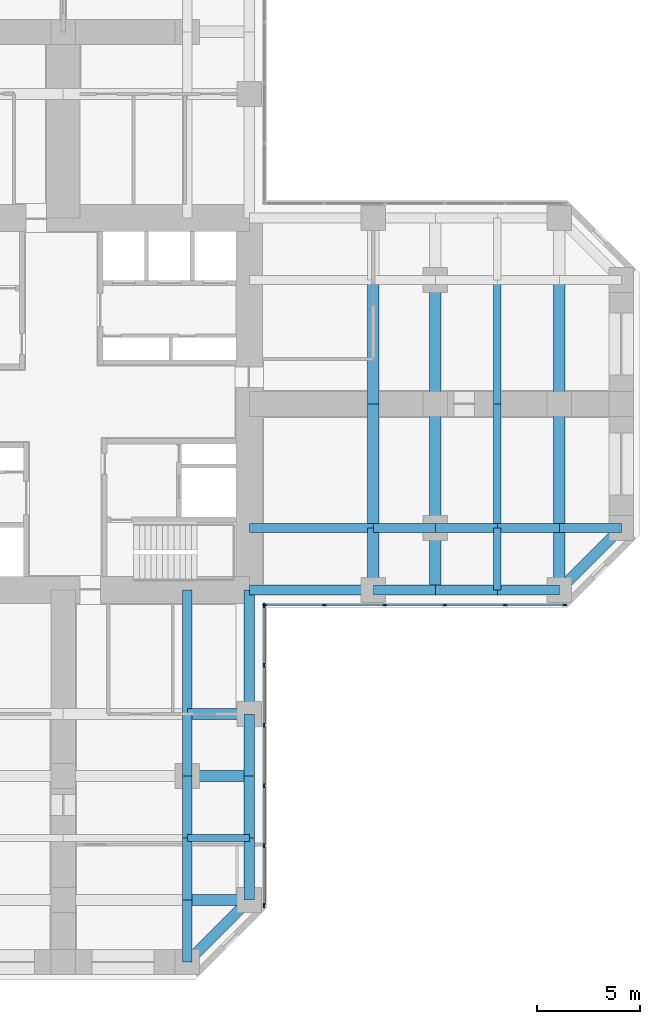
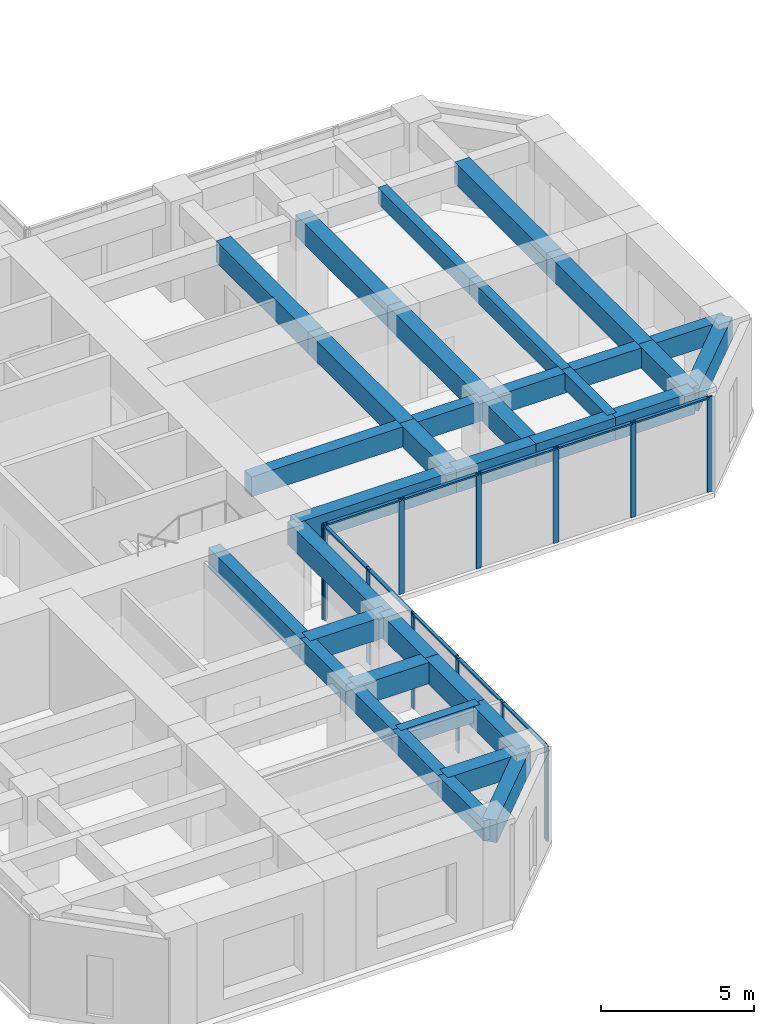
# One storey, part 4 of 12: 36 beams, 22 members, 2 elements without a shape of their own.
"""IFC4 building model written with IfcOpenShell, lengths in metres."""

import ifcopenshell
import ifcopenshell.guid

model = None  # the IFC model being written
_history = None  # IfcOwnerHistory: only IFC2X3 demands one
_inside = {}  # id of a spatial element -> (the spatial element, [elements in it])
_under = {}  # id of a project, library or spatial element -> (it, [spatial elements below it])
_declared = {}  # id of a project -> (the project, [libraries it declares])
_typed = {}  # id of a type object -> (the type object, [elements of that type])
_made_of = {}  # id of a material, layer set ... -> (it, [elements and type objects made of it])


def new_model(schema):
    """Start an empty IFC model of exactly this schema.

    Asked for "IFC4X3", IfcOpenShell would pick the latest addendum, in which some entities
    have other attributes; the version numbers below select the first issue.
    IFC2X3 requires an IfcOwnerHistory on every rooted entity: one is made here for all.
    """
    global model, _history
    if schema == "IFC4X3":
        model = ifcopenshell.file(schema_version=(4, 3, 0, 0))
    else:
        model = ifcopenshell.file(schema=schema)
    _inside.clear()
    _under.clear()
    _declared.clear()
    _typed.clear()
    _made_of.clear()
    _history = None
    if model.schema == "IFC2X3":
        org = make("IfcOrganization", Name="unknown")
        user = make(
            "IfcPersonAndOrganization",
            ThePerson=make("IfcPerson", FamilyName="unknown"),
            TheOrganization=org,
        )
        app = make(
            "IfcApplication",
            ApplicationDeveloper=org,
            Version="unknown",
            ApplicationFullName="unknown",
            ApplicationIdentifier="unknown",
        )
        _history = make(
            "IfcOwnerHistory",
            OwningUser=user,
            OwningApplication=app,
            ChangeAction="ADDED",
            CreationDate=0,
        )
    return model


def make(cls, **values):
    """One entity of the class cls with the attributes given. An attribute that is None is left unset."""
    return model.create_entity(
        cls, **{name: value for name, value in values.items() if value is not None}
    )


def rooted(cls, **values):
    """An entity with a GlobalId (a new one), such as an element, a storey or a relation."""
    return make(cls, GlobalId=ifcopenshell.guid.new(), OwnerHistory=_history, **values)


def si_unit(unit_type, name, prefix=None):
    """IfcSIUnit, for example si_unit("LENGTHUNIT", "METRE", prefix="MILLI")."""
    return make("IfcSIUnit", UnitType=unit_type, Prefix=prefix, Name=name)


def assignment(units):
    """IfcUnitAssignment: the units of a project."""
    return None if units is None else make("IfcUnitAssignment", Units=units)


def point(xyz):
    """IfcCartesianPoint."""
    return None if xyz is None else make("IfcCartesianPoint", Coordinates=xyz)


def direction(xyz):
    """IfcDirection."""
    return None if xyz is None else make("IfcDirection", DirectionRatios=xyz)


def frame(location, z_axis=None, x_axis=None):
    """IfcAxis2Placement3D, a coordinate frame: its origin and axes. An axis left out is left unset."""
    return make(
        "IfcAxis2Placement3D",
        Location=point(location),
        Axis=direction(z_axis),
        RefDirection=direction(x_axis),
    )


def frame_2d(location, x_axis=None):
    """IfcAxis2Placement2D, a coordinate frame in the plane: its origin and x axis."""
    return make(
        "IfcAxis2Placement2D", Location=point(location), RefDirection=direction(x_axis)
    )


def origin():
    """The frame at (0, 0, 0) with its axes left unset."""
    return frame((0.0, 0.0, 0.0))


def origin_2d():
    """The frame at (0, 0) in the plane with its x axis left unset."""
    return frame_2d((0.0, 0.0))


def place(relative_to, where):
    """IfcLocalPlacement: puts the frame where relative to a parent placement (None: the world)."""
    return make(
        "IfcLocalPlacement", PlacementRelTo=relative_to, RelativePlacement=where
    )


def context(
    kind, dimensions, precision=None, world=None, true_north=None, identifier=None
):
    """IfcGeometricRepresentationContext, for example the 3D "Model" context."""
    return make(
        "IfcGeometricRepresentationContext",
        ContextIdentifier=identifier,
        ContextType=kind,
        CoordinateSpaceDimension=dimensions,
        Precision=precision,
        WorldCoordinateSystem=world,
        TrueNorth=true_north,
    )


def subcontext(parent, identifier, kind, view, scale=None):
    """IfcGeometricRepresentationSubContext, for example "Body" below "Model"."""
    return make(
        "IfcGeometricRepresentationSubContext",
        ContextIdentifier=identifier,
        ContextType=kind,
        ParentContext=parent,
        TargetScale=scale,
        TargetView=view,
    )


def project(units=None, contexts=None):
    """IfcProject with its units and contexts."""
    return rooted(
        "IfcProject",
        Name="project",
        RepresentationContexts=contexts,
        UnitsInContext=assignment(units),
    )


def spatial(cls, under=None, at=None, **own):
    """A site, building, storey or space (cls), placed at a placement, below another one or the project."""
    s = rooted(cls, ObjectPlacement=at, **own)
    if under is not None:
        _under.setdefault(under.id(), (under, []))[1].append(s)
    return s


def profile(cls, at=None, kind="AREA", **sizes):
    """A parametric profile (cls). Its sizes go by their IFC names, for example OverallWidth=200.0."""
    return make(cls, ProfileType=kind, Position=at, **sizes)


def rectangle(**sizes):
    """IfcRectangleProfileDef."""
    return profile("IfcRectangleProfileDef", **sizes)


def extrude(swept, where, along, depth):
    """IfcExtrudedAreaSolid: the profile swept, set in the frame where, extruded along a direction by depth."""
    return make(
        "IfcExtrudedAreaSolid",
        SweptArea=swept,
        Position=where,
        ExtrudedDirection=direction(along),
        Depth=depth,
    )


def shape(context_of_items, identifier, shape_type, items):
    """IfcShapeRepresentation: the items that make up one representation, for example the "Body"."""
    return make(
        "IfcShapeRepresentation",
        ContextOfItems=context_of_items,
        RepresentationIdentifier=identifier,
        RepresentationType=shape_type,
        Items=items,
    )


def material(Name=None, Category=None):
    """IfcMaterial."""
    return make("IfcMaterial", Name=Name, Category=Category)


def material_profile(
    of_material, cross_section, Name=None, Category=None, Priority=None
):
    """IfcMaterialProfile: a cross section and its material."""
    return make(
        "IfcMaterialProfile",
        Name=Name,
        Material=of_material,
        Profile=cross_section,
        Priority=Priority,
        Category=Category,
    )


def profile_set(profiles, Name=None, composite=None):
    """IfcMaterialProfileSet."""
    return make(
        "IfcMaterialProfileSet",
        Name=Name,
        MaterialProfiles=profiles,
        CompositeProfile=composite,
    )


def made_of(thing, what):
    """Note that an element or type object is made of a material, layer set ...; save() writes the relation."""
    if what is not None:
        _made_of.setdefault(what.id(), (what, []))[1].append(thing)
    return thing


def type_object(cls, material=None, **own):
    """A type object (cls), such as IfcWallType, which elements share."""
    return made_of(rooted(cls, **own), material)


def element(
    cls,
    number,
    at=None,
    inside=None,
    cuts=None,
    type_object=None,
    material=None,
    context=None,
    identifier="Body",
    shape_type=None,
    held_by="IfcProductDefinitionShape",
    body=None,
    shapes=None,
    **own,
):
    """One element of the class cls, such as IfcWall. Its Tag is "e" and its number.

    at: its placement. inside: the storey or other place that contains it. cuts: it is an
    opening in that element (IfcRelVoidsElement). A single representation is given by context,
    identifier, shape_type and body (its items); several are given by shapes. held_by: the class
    of the entity that holds the representations. save() writes the other relations.
    """
    e = rooted(cls, Tag="e%d" % number, ObjectPlacement=at, **own)
    if body is not None:
        shapes = [shape(context, identifier, shape_type, body)]
    if shapes is not None:
        e.Representation = make(held_by, Representations=shapes)
    if inside is not None:
        _inside.setdefault(inside.id(), (inside, []))[1].append(e)
    if cuts is not None:
        rooted(
            "IfcRelVoidsElement", RelatingBuildingElement=cuts, RelatedOpeningElement=e
        )
    if type_object is not None:
        _typed.setdefault(type_object.id(), (type_object, []))[1].append(e)
    return made_of(e, material)


def aggregate(whole, parts):
    """IfcRelAggregates: a whole, such as a stair, and the parts it consists of."""
    return rooted("IfcRelAggregates", RelatingObject=whole, RelatedObjects=parts)


def save(model, path):
    """Write the relations noted so far, then the file.

    IfcRelAggregates (storeys below a building ...), IfcRelContainedInSpatialStructure (elements
    in a storey), IfcRelDefinesByType, IfcRelAssociatesMaterial and IfcRelDeclares: one each for
    every whole, place, type object, material and project.
    """
    for whole, parts in _under.values():
        aggregate(whole, parts)
    for where, things in _inside.values():
        rooted(
            "IfcRelContainedInSpatialStructure",
            RelatedElements=things,
            RelatingStructure=where,
        )
    for kind, things in _typed.values():
        rooted("IfcRelDefinesByType", RelatedObjects=things, RelatingType=kind)
    for what, things in _made_of.values():
        rooted("IfcRelAssociatesMaterial", RelatedObjects=things, RelatingMaterial=what)
    for by, libraries in _declared.values():
        rooted("IfcRelDeclares", RelatingContext=by, RelatedDefinitions=libraries)
    model.write(path)


model = new_model("IFC4")

# Units and contexts
model_context = context("Model", 3, precision=1e-05, world=origin(), true_north=direction((0.0, 1.0)))
body_context = subcontext(model_context, "Body", "Model", "MODEL_VIEW")
ifc_project = project(units=[si_unit("LENGTHUNIT", "METRE"), si_unit("AREAUNIT", "SQUARE_METRE"), si_unit("VOLUMEUNIT", "CUBIC_METRE"), si_unit("PLANEANGLEUNIT", "RADIAN"), si_unit("MASSUNIT", "GRAM", prefix="KILO")], contexts=[model_context])

# Site, building, storey
site_placement = place(None, origin())
site = spatial("IfcSite", under=ifc_project, at=site_placement, CompositionType="ELEMENT")
building_placement = place(site_placement, origin())
building = spatial("IfcBuilding", under=site, at=building_placement, Name="Torre Cruceta", CompositionType="ELEMENT")
storey_placement = place(building_placement, frame((0.0, 0.0, 75.5)))
storey = spatial("IfcBuildingStorey", under=building, at=storey_placement, Name="L18", CompositionType="ELEMENT", Elevation=75.5)

# Beams
ifc_material_1 = material(Name="Concrete G60 (fck 60 MPa)", Category="concrete")
ifc_material_profile_1 = material_profile(ifc_material_1, rectangle(XDim=0.449951171875, YDim=0.800048828125, at=origin_2d()), Name="RC 450X800")
ifc_profile_set_1 = profile_set([ifc_material_profile_1], Name="Concrete G60 (fck 60 MPa)")
beam_type_1 = type_object("IfcBeamType", Name="COLUMN LINE BEAM RC 450X800", PredefinedType="BEAM", material=ifc_profile_set_1)
beam_1_placement = place(storey_placement, frame((9.0, -6.0, 3.39990234375), z_axis=(1.0, 0.0, 0.0), x_axis=(0.0, 1.0, 0.0)))
element("IfcBeam", 1, at=beam_1_placement, inside=storey, type_object=beam_type_1, Name="LB1 L18 E col- 1", PredefinedType="BEAM", context=body_context, shape_type="SweptSolid", body=[
    extrude(rectangle(XDim=0.449951171875, YDim=0.800048828125, at=origin_2d()), origin(), (0.0, 0.0, 1.0), 6.0),
])
for number, where, z_axis, x_axis, name in (
    (2, (15.0, -6.0, 3.39990234375), (1.0, 0.0, 0.0), (0.0, 1.0, 0.0), "LB1 L18 E col- 2"),
    (3, (18.0, -6.0, 3.39990234375), (1.0, 0.0, 0.0), (0.0, 1.0, 0.0), "LB1 L18 E col- 3"),
    (4, (21.0, -6.0, 3.39990234375), (1.0, 0.0, 0.0), (0.0, 1.0, 0.0), "LB1 L18 E col- 4"),
    (5, (24.0, -6.0, 3.39990234375), (1.0, 0.0, 0.0), (0.0, 1.0, 0.0), "LB1 L18 E col- 5"),
):
    element("IfcBeam", number, at=place(storey_placement, frame(where, z_axis=z_axis, x_axis=x_axis)), inside=storey, type_object=beam_type_1, Name=name, PredefinedType="BEAM", context=body_context, shape_type="SweptSolid", body=[
        extrude(rectangle(XDim=0.449951171875, YDim=0.800048828125, at=origin_2d()), origin(), (0.0, 0.0, 1.0), 3.0),
    ])
beam_2_placement = place(storey_placement, frame((6.0, -9.0, 3.39990234375), z_axis=(0.0, -1.0, 0.0), x_axis=(1.0, 0.0, 0.0)))
element("IfcBeam", 6, at=beam_2_placement, inside=storey, type_object=beam_type_1, Name="LB1 L18 S col+ 1", PredefinedType="BEAM", context=body_context, shape_type="SweptSolid", body=[
    extrude(rectangle(XDim=0.449951171875, YDim=0.800048828125, at=origin_2d()), origin(), (0.0, 0.0, 1.0), 6.0),
])
for number, where, z_axis, x_axis, name in (
    (7, (6.0, -15.0, 3.39990234375), (0.0, -1.0, 0.0), (1.0, 0.0, 0.0), "LB1 L18 S col+ 2"),
    (8, (6.0, -18.0, 3.39990234375), (0.0, -1.0, 0.0), (1.0, 0.0, 0.0), "LB1 L18 S col+ 3"),
    (9, (6.0, -21.0, 3.39990234375), (0.0, -1.0, 0.0), (1.0, 0.0, 0.0), "LB1 L18 S col+ 4"),
    (10, (6.0, -24.0, 3.39990234375), (0.0, -1.0, 0.0), (1.0, 0.0, 0.0), "LB1 L18 S col+ 5"),
):
    element("IfcBeam", number, at=place(storey_placement, frame(where, z_axis=z_axis, x_axis=x_axis)), inside=storey, type_object=beam_type_1, Name=name, PredefinedType="BEAM", context=body_context, shape_type="SweptSolid", body=[
        extrude(rectangle(XDim=0.449951171875, YDim=0.800048828125, at=origin_2d()), origin(), (0.0, 0.0, 1.0), 3.0),
    ])
ifc_material_2 = material(Name="Concrete G60 (fck 60 MPa)", Category="concrete")
ifc_material_profile_2 = material_profile(ifc_material_2, rectangle(XDim=0.550048828125, YDim=0.85009765625, at=origin_2d()), Name="RC 550X850")
ifc_profile_set_2 = profile_set([ifc_material_profile_2], Name="Concrete G60 (fck 60 MPa)")
beam_type_2 = type_object("IfcBeamType", Name="CROSS BEAM RC 550X850", PredefinedType="BEAM", material=ifc_profile_set_2)
beam_3_placement = place(storey_placement, frame((15.0, -9.0, 3.375), z_axis=(0.0, 1.0, 0.0), x_axis=(-1.0, 0.0, 0.0)))
element("IfcBeam", 11, at=beam_3_placement, inside=storey, type_object=beam_type_2, Name="GB4 L18 E cross15 1", PredefinedType="BEAM", context=body_context, shape_type="SweptSolid", body=[
    extrude(rectangle(XDim=0.550048828125, YDim=0.85009765625, at=origin_2d()), origin(), (0.0, 0.0, 1.0), 3.0),
])
for number, where, z_axis, x_axis, name in (
    (12, (15.0, -6.0, 3.375), (0.0, 1.0, 0.0), (-1.0, 0.0, 0.0), "GB4 L18 E cross15 2"),
    (13, (15.0, 0.0, 3.375), (0.0, 1.0, 0.0), (-1.0, 0.0, 0.0), "GB4 L18 E cross15 3"),
):
    element("IfcBeam", number, at=place(storey_placement, frame(where, z_axis=z_axis, x_axis=x_axis)), inside=storey, type_object=beam_type_2, Name=name, PredefinedType="BEAM", context=body_context, shape_type="SweptSolid", body=[
        extrude(rectangle(XDim=0.550048828125, YDim=0.85009765625, at=origin_2d()), origin(), (0.0, 0.0, 1.0), 6.0),
    ])
beam_4_placement = place(storey_placement, frame((18.0, -9.0, 3.375), z_axis=(0.0, 1.0, 0.0), x_axis=(-1.0, 0.0, 0.0)))
element("IfcBeam", 14, at=beam_4_placement, inside=storey, type_object=beam_type_2, Name="GB4 L18 E cross18 1", PredefinedType="BEAM", context=body_context, shape_type="SweptSolid", body=[
    extrude(rectangle(XDim=0.550048828125, YDim=0.85009765625, at=origin_2d()), origin(), (0.0, 0.0, 1.0), 3.0),
])
for number, where, z_axis, x_axis, name in (
    (15, (18.0, -6.0, 3.375), (0.0, 1.0, 0.0), (-1.0, 0.0, 0.0), "GB4 L18 E cross18 2"),
    (16, (18.0, 0.0, 3.375), (0.0, 1.0, 0.0), (-1.0, 0.0, 0.0), "GB4 L18 E cross18 3"),
):
    element("IfcBeam", number, at=place(storey_placement, frame(where, z_axis=z_axis, x_axis=x_axis)), inside=storey, type_object=beam_type_2, Name=name, PredefinedType="BEAM", context=body_context, shape_type="SweptSolid", body=[
        extrude(rectangle(XDim=0.550048828125, YDim=0.85009765625, at=origin_2d()), origin(), (0.0, 0.0, 1.0), 6.0),
    ])
beam_5_placement = place(storey_placement, frame((24.0, -9.0, 3.375), z_axis=(0.0, 1.0, 0.0), x_axis=(-1.0, 0.0, 0.0)))
element("IfcBeam", 17, at=beam_5_placement, inside=storey, type_object=beam_type_2, Name="GB4 L18 E cross24 1", PredefinedType="BEAM", context=body_context, shape_type="SweptSolid", body=[
    extrude(rectangle(XDim=0.550048828125, YDim=0.85009765625, at=origin_2d()), origin(), (0.0, 0.0, 1.0), 3.0),
])
for number, where, z_axis, x_axis, name in (
    (18, (24.0, -6.0, 3.375), (0.0, 1.0, 0.0), (-1.0, 0.0, 0.0), "GB4 L18 E cross24 2"),
    (19, (24.0, 0.0, 3.375), (0.0, 1.0, 0.0), (-1.0, 0.0, 0.0), "GB4 L18 E cross24 3"),
):
    element("IfcBeam", number, at=place(storey_placement, frame(where, z_axis=z_axis, x_axis=x_axis)), inside=storey, type_object=beam_type_2, Name=name, PredefinedType="BEAM", context=body_context, shape_type="SweptSolid", body=[
        extrude(rectangle(XDim=0.550048828125, YDim=0.85009765625, at=origin_2d()), origin(), (0.0, 0.0, 1.0), 6.0),
    ])
for number, where, z_axis, x_axis, name in (
    (20, (6.0, -15.0, 3.375), (1.0, 0.0, 0.0), (0.0, 1.0, 0.0), "GB4 L18 S cross15 4"),
    (21, (6.0, -18.0, 3.375), (1.0, 0.0, 0.0), (0.0, 1.0, 0.0), "GB4 L18 S cross18 4"),
    (22, (6.0, -24.0, 3.375), (1.0, 0.0, 0.0), (0.0, 1.0, 0.0), "GB4 L18 S cross24 4"),
):
    element("IfcBeam", number, at=place(storey_placement, frame(where, z_axis=z_axis, x_axis=x_axis)), inside=storey, type_object=beam_type_2, Name=name, PredefinedType="BEAM", context=body_context, shape_type="SweptSolid", body=[
        extrude(rectangle(XDim=0.550048828125, YDim=0.85009765625, at=origin_2d()), origin(), (0.0, 0.0, 1.0), 3.0),
    ])

# Curtain wall, members
ifc_material_3 = material(Name="Aluminium unitised curtain wall", Category="aluminium")
curtain_wall_type = type_object("IfcCurtainWallType", Name="CURTAIN WALL CW-A OFFICE LOW RISE", PredefinedType="USERDEFINED", material=ifc_material_3)
curtain_wall_1_placement = place(storey_placement, origin())
curtain_wall_1 = element("IfcCurtainWall", 23, at=curtain_wall_1_placement, inside=storey, type_object=curtain_wall_type, Name="CW-A L18 E side 00", ObjectType="UNITISED", PredefinedType="USERDEFINED")
ifc_material_4 = material(Name="Aluminium mullion", Category="aluminium")
ifc_material_profile_3 = material_profile(ifc_material_4, rectangle(XDim=0.06494140625, YDim=0.199951171875, at=origin_2d()), Name="AL 65X200")
ifc_profile_set_3 = profile_set([ifc_material_profile_3], Name="Aluminium mullion")
member_type_1 = type_object("IfcMemberType", Name="CW-A MULLION 65X200", PredefinedType="MULLION", material=ifc_profile_set_3)
member_1_placement = place(storey_placement, frame((9.75244140625, -9.719970703125, 0.0), z_axis=(0.0, 0.0, 1.0), x_axis=(0.0, 1.0, 0.0)))
member_1 = element("IfcMember", 24, at=member_1_placement, type_object=member_type_1, Name="CW-A mullion 1", PredefinedType="MULLION", context=body_context, shape_type="SweptSolid", body=[
    extrude(rectangle(XDim=0.06494140625, YDim=0.199951171875, at=origin_2d()), origin(), (0.0, 0.0, 1.0), 3.800048828125),
])
member_2_placement = place(storey_placement, frame((12.6357421875, -9.719970703125, 0.0), z_axis=(0.0, 0.0, 1.0), x_axis=(0.0, 1.0, 0.0)))
member_2 = element("IfcMember", 25, at=member_2_placement, type_object=member_type_1, Name="CW-A mullion 2", PredefinedType="MULLION", context=body_context, shape_type="SweptSolid", body=[
    extrude(rectangle(XDim=0.06494140625, YDim=0.199951171875, at=origin_2d()), origin(), (0.0, 0.0, 1.0), 3.800048828125),
])
member_3_placement = place(storey_placement, frame((15.55126953125, -9.719970703125, 0.0), z_axis=(0.0, 0.0, 1.0), x_axis=(0.0, 1.0, 0.0)))
member_3 = element("IfcMember", 26, at=member_3_placement, type_object=member_type_1, Name="CW-A mullion 3", PredefinedType="MULLION", context=body_context, shape_type="SweptSolid", body=[
    extrude(rectangle(XDim=0.06494140625, YDim=0.199951171875, at=origin_2d()), origin(), (0.0, 0.0, 1.0), 3.800048828125),
])
member_4_placement = place(storey_placement, frame((18.467041015625, -9.719970703125, 0.0), z_axis=(0.0, 0.0, 1.0), x_axis=(0.0, 1.0, 0.0)))
member_4 = element("IfcMember", 27, at=member_4_placement, type_object=member_type_1, Name="CW-A mullion 4", PredefinedType="MULLION", context=body_context, shape_type="SweptSolid", body=[
    extrude(rectangle(XDim=0.06494140625, YDim=0.199951171875, at=origin_2d()), origin(), (0.0, 0.0, 1.0), 3.800048828125),
])
member_5_placement = place(storey_placement, frame((21.382568359375, -9.719970703125, 0.0), z_axis=(0.0, 0.0, 1.0), x_axis=(0.0, 1.0, 0.0)))
member_5 = element("IfcMember", 28, at=member_5_placement, type_object=member_type_1, Name="CW-A mullion 5", PredefinedType="MULLION", context=body_context, shape_type="SweptSolid", body=[
    extrude(rectangle(XDim=0.06494140625, YDim=0.199951171875, at=origin_2d()), origin(), (0.0, 0.0, 1.0), 3.800048828125),
])
member_6_placement = place(storey_placement, frame((24.265625, -9.719970703125, 0.0), z_axis=(0.0, 0.0, 1.0), x_axis=(0.0, 1.0, 0.0)))
member_6 = element("IfcMember", 29, at=member_6_placement, type_object=member_type_1, Name="CW-A mullion 6", PredefinedType="MULLION", context=body_context, shape_type="SweptSolid", body=[
    extrude(rectangle(XDim=0.06494140625, YDim=0.199951171875, at=origin_2d()), origin(), (0.0, 0.0, 1.0), 3.800048828125),
])

curtain_wall_2_placement = place(storey_placement, origin())
curtain_wall_2 = element("IfcCurtainWall", 30, at=curtain_wall_2_placement, inside=storey, type_object=curtain_wall_type, Name="CW-A L18 S side 19", ObjectType="UNITISED", PredefinedType="USERDEFINED")
member_7_placement = place(storey_placement, frame((9.719970703125, -24.265625, 0.0), z_axis=(0.0, 0.0, 1.0), x_axis=(-1.0, 0.0, 0.0)))
member_7 = element("IfcMember", 31, at=member_7_placement, type_object=member_type_1, Name="CW-A mullion 1", PredefinedType="MULLION", context=body_context, shape_type="SweptSolid", body=[
    extrude(rectangle(XDim=0.06494140625, YDim=0.199951171875, at=origin_2d()), origin(), (0.0, 0.0, 1.0), 3.800048828125),
])
member_8_placement = place(storey_placement, frame((9.719970703125, -21.382568359375, 0.0), z_axis=(0.0, 0.0, 1.0), x_axis=(-1.0, 0.0, 0.0)))
member_8 = element("IfcMember", 32, at=member_8_placement, type_object=member_type_1, Name="CW-A mullion 2", PredefinedType="MULLION", context=body_context, shape_type="SweptSolid", body=[
    extrude(rectangle(XDim=0.06494140625, YDim=0.199951171875, at=origin_2d()), origin(), (0.0, 0.0, 1.0), 3.800048828125),
])
member_9_placement = place(storey_placement, frame((9.719970703125, -18.467041015625, 0.0), z_axis=(0.0, 0.0, 1.0), x_axis=(-1.0, 0.0, 0.0)))
member_9 = element("IfcMember", 33, at=member_9_placement, type_object=member_type_1, Name="CW-A mullion 3", PredefinedType="MULLION", context=body_context, shape_type="SweptSolid", body=[
    extrude(rectangle(XDim=0.06494140625, YDim=0.199951171875, at=origin_2d()), origin(), (0.0, 0.0, 1.0), 3.800048828125),
])
member_10_placement = place(storey_placement, frame((9.719970703125, -15.55126953125, 0.0), z_axis=(0.0, 0.0, 1.0), x_axis=(-1.0, 0.0, 0.0)))
member_10 = element("IfcMember", 34, at=member_10_placement, type_object=member_type_1, Name="CW-A mullion 4", PredefinedType="MULLION", context=body_context, shape_type="SweptSolid", body=[
    extrude(rectangle(XDim=0.06494140625, YDim=0.199951171875, at=origin_2d()), origin(), (0.0, 0.0, 1.0), 3.800048828125),
])
member_11_placement = place(storey_placement, frame((9.719970703125, -12.6357421875, 0.0), z_axis=(0.0, 0.0, 1.0), x_axis=(-1.0, 0.0, 0.0)))
member_11 = element("IfcMember", 35, at=member_11_placement, type_object=member_type_1, Name="CW-A mullion 5", PredefinedType="MULLION", context=body_context, shape_type="SweptSolid", body=[
    extrude(rectangle(XDim=0.06494140625, YDim=0.199951171875, at=origin_2d()), origin(), (0.0, 0.0, 1.0), 3.800048828125),
])
member_12_placement = place(storey_placement, frame((9.719970703125, -9.75244140625, 0.0), z_axis=(0.0, 0.0, 1.0), x_axis=(-1.0, 0.0, 0.0)))
member_12 = element("IfcMember", 36, at=member_12_placement, type_object=member_type_1, Name="CW-A mullion 6", PredefinedType="MULLION", context=body_context, shape_type="SweptSolid", body=[
    extrude(rectangle(XDim=0.06494140625, YDim=0.199951171875, at=origin_2d()), origin(), (0.0, 0.0, 1.0), 3.800048828125),
])

# Member
ifc_material_5 = material(Name="Aluminium transom", Category="aluminium")
ifc_material_profile_4 = material_profile(ifc_material_5, rectangle(XDim=0.1201171875, YDim=0.06494140625, at=origin_2d()), Name="AL 120X65")
ifc_profile_set_4 = profile_set([ifc_material_profile_4], Name="Aluminium transom")
member_type_2 = type_object("IfcMemberType", Name="CW-A TRANSOM 65X120", PredefinedType="USERDEFINED", material=ifc_profile_set_4)
member_13_placement = place(storey_placement, frame((9.784912109375, -9.719970703125, 3.767578125), z_axis=(1.0, 0.0, 0.0), x_axis=(0.0, 1.0, 0.0)))
member_13 = element("IfcMember", 37, at=member_13_placement, type_object=member_type_2, Name="CW-A transom 1", ObjectType="TRANSOM", PredefinedType="USERDEFINED", context=body_context, shape_type="SweptSolid", body=[
    extrude(rectangle(XDim=0.1201171875, YDim=0.06494140625, at=origin_2d()), origin(), (0.0, 0.0, 1.0), 2.818115234375),
])

member_14_placement = place(storey_placement, frame((12.668212890625, -9.719970703125, 3.767578125), z_axis=(1.0, 0.0, 0.0), x_axis=(0.0, 1.0, 0.0)))
member_14 = element("IfcMember", 38, at=member_14_placement, type_object=member_type_2, Name="CW-A transom 2", ObjectType="TRANSOM", PredefinedType="USERDEFINED", context=body_context, shape_type="SweptSolid", body=[
    extrude(rectangle(XDim=0.1201171875, YDim=0.06494140625, at=origin_2d()), origin(), (0.0, 0.0, 1.0), 2.8505859375),
])

member_15_placement = place(storey_placement, frame((15.583740234375, -9.719970703125, 3.767578125), z_axis=(1.0, 0.0, 0.0), x_axis=(0.0, 1.0, 0.0)))
member_15 = element("IfcMember", 39, at=member_15_placement, type_object=member_type_2, Name="CW-A transom 3", ObjectType="TRANSOM", PredefinedType="USERDEFINED", context=body_context, shape_type="SweptSolid", body=[
    extrude(rectangle(XDim=0.1201171875, YDim=0.06494140625, at=origin_2d()), origin(), (0.0, 0.0, 1.0), 2.8505859375),
])

member_16_placement = place(storey_placement, frame((18.49951171875, -9.719970703125, 3.767578125), z_axis=(1.0, 0.0, 0.0), x_axis=(0.0, 1.0, 0.0)))
member_16 = element("IfcMember", 40, at=member_16_placement, type_object=member_type_2, Name="CW-A transom 4", ObjectType="TRANSOM", PredefinedType="USERDEFINED", context=body_context, shape_type="SweptSolid", body=[
    extrude(rectangle(XDim=0.1201171875, YDim=0.06494140625, at=origin_2d()), origin(), (0.0, 0.0, 1.0), 2.8505859375),
])

member_17_placement = place(storey_placement, frame((21.4150390625, -9.719970703125, 3.767578125), z_axis=(1.0, 0.0, 0.0), x_axis=(0.0, 1.0, 0.0)))
member_17 = element("IfcMember", 41, at=member_17_placement, type_object=member_type_2, Name="CW-A transom 5", ObjectType="TRANSOM", PredefinedType="USERDEFINED", context=body_context, shape_type="SweptSolid", body=[
    extrude(rectangle(XDim=0.1201171875, YDim=0.06494140625, at=origin_2d()), origin(), (0.0, 0.0, 1.0), 2.818115234375),
])

aggregate(curtain_wall_1, [member_1, member_2, member_3, member_4, member_5, member_6, member_13, member_14, member_15, member_16, member_17])

member_18_placement = place(storey_placement, frame((9.719970703125, -24.233154296875, 3.767578125), z_axis=(0.0, 1.0, 0.0), x_axis=(-1.0, 0.0, 0.0)))
member_18 = element("IfcMember", 42, at=member_18_placement, type_object=member_type_2, Name="CW-A transom 1", ObjectType="TRANSOM", PredefinedType="USERDEFINED", context=body_context, shape_type="SweptSolid", body=[
    extrude(rectangle(XDim=0.1201171875, YDim=0.06494140625, at=origin_2d()), origin(), (0.0, 0.0, 1.0), 2.818115234375),
])

member_19_placement = place(storey_placement, frame((9.719970703125, -21.35009765625, 3.767578125), z_axis=(0.0, 1.0, 0.0), x_axis=(-1.0, 0.0, 0.0)))
member_19 = element("IfcMember", 43, at=member_19_placement, type_object=member_type_2, Name="CW-A transom 2", ObjectType="TRANSOM", PredefinedType="USERDEFINED", context=body_context, shape_type="SweptSolid", body=[
    extrude(rectangle(XDim=0.1201171875, YDim=0.06494140625, at=origin_2d()), origin(), (0.0, 0.0, 1.0), 2.8505859375),
])

member_20_placement = place(storey_placement, frame((9.719970703125, -18.434326171875, 3.767578125), z_axis=(0.0, 1.0, 0.0), x_axis=(-1.0, 0.0, 0.0)))
member_20 = element("IfcMember", 44, at=member_20_placement, type_object=member_type_2, Name="CW-A transom 3", ObjectType="TRANSOM", PredefinedType="USERDEFINED", context=body_context, shape_type="SweptSolid", body=[
    extrude(rectangle(XDim=0.1201171875, YDim=0.06494140625, at=origin_2d()), origin(), (0.0, 0.0, 1.0), 2.8505859375),
])

member_21_placement = place(storey_placement, frame((9.719970703125, -15.518798828125, 3.767578125), z_axis=(0.0, 1.0, 0.0), x_axis=(-1.0, 0.0, 0.0)))
member_21 = element("IfcMember", 45, at=member_21_placement, type_object=member_type_2, Name="CW-A transom 4", ObjectType="TRANSOM", PredefinedType="USERDEFINED", context=body_context, shape_type="SweptSolid", body=[
    extrude(rectangle(XDim=0.1201171875, YDim=0.06494140625, at=origin_2d()), origin(), (0.0, 0.0, 1.0), 2.8505859375),
])

member_22_placement = place(storey_placement, frame((9.719970703125, -12.60302734375, 3.767578125), z_axis=(0.0, 1.0, 0.0), x_axis=(-1.0, 0.0, 0.0)))
member_22 = element("IfcMember", 46, at=member_22_placement, type_object=member_type_2, Name="CW-A transom 5", ObjectType="TRANSOM", PredefinedType="USERDEFINED", context=body_context, shape_type="SweptSolid", body=[
    extrude(rectangle(XDim=0.1201171875, YDim=0.06494140625, at=origin_2d()), origin(), (0.0, 0.0, 1.0), 2.818115234375),
])

aggregate(curtain_wall_2, [member_7, member_8, member_9, member_10, member_11, member_12, member_18, member_19, member_20, member_21, member_22])

# Beams
ifc_material_6 = material(Name="Concrete G60 (fck 60 MPa)", Category="concrete")
ifc_material_profile_5 = material_profile(ifc_material_6, rectangle(XDim=0.35009765625, YDim=0.64990234375, at=origin_2d()), Name="RC 350X650")
ifc_profile_set_5 = profile_set([ifc_material_profile_5], Name="Concrete G60 (fck 60 MPa)")
beam_type_3 = type_object("IfcBeamType", Name="SECONDARY BEAM RC 350X650", PredefinedType="JOIST", material=ifc_profile_set_5)
beam_6_placement = place(storey_placement, frame((21.0, -9.0, 3.47509765625), z_axis=(0.0, 1.0, 0.0), x_axis=(-1.0, 0.0, 0.0)))
element("IfcBeam", 47, at=beam_6_placement, inside=storey, type_object=beam_type_3, Name="JB3 L18 E sec21 1", PredefinedType="JOIST", context=body_context, shape_type="SweptSolid", body=[
    extrude(rectangle(XDim=0.35009765625, YDim=0.64990234375, at=origin_2d()), origin(), (0.0, 0.0, 1.0), 3.0),
])
for number, where, z_axis, x_axis, name in (
    (48, (21.0, -6.0, 3.47509765625), (0.0, 1.0, 0.0), (-1.0, 0.0, 0.0), "JB3 L18 E sec21 2"),
    (49, (21.0, 0.0, 3.47509765625), (0.0, 1.0, 0.0), (-1.0, 0.0, 0.0), "JB3 L18 E sec21 3"),
):
    element("IfcBeam", number, at=place(storey_placement, frame(where, z_axis=z_axis, x_axis=x_axis)), inside=storey, type_object=beam_type_3, Name=name, PredefinedType="JOIST", context=body_context, shape_type="SweptSolid", body=[
        extrude(rectangle(XDim=0.35009765625, YDim=0.64990234375, at=origin_2d()), origin(), (0.0, 0.0, 1.0), 6.0),
    ])
beam_7_placement = place(storey_placement, frame((6.0, -21.0, 3.47509765625), z_axis=(1.0, 0.0, 0.0), x_axis=(0.0, 1.0, 0.0)))
element("IfcBeam", 50, at=beam_7_placement, inside=storey, type_object=beam_type_3, Name="JB3 L18 S sec21 4", PredefinedType="JOIST", context=body_context, shape_type="SweptSolid", body=[
    extrude(rectangle(XDim=0.35009765625, YDim=0.64990234375, at=origin_2d()), origin(), (0.0, 0.0, 1.0), 3.0),
])
ifc_material_7 = material(Name="Concrete G60 (fck 60 MPa)", Category="concrete")
ifc_material_profile_6 = material_profile(ifc_material_7, rectangle(XDim=0.5, YDim=0.89990234375, at=origin_2d()), Name="RC 500X900")
ifc_profile_set_6 = profile_set([ifc_material_profile_6], Name="Concrete G60 (fck 60 MPa)")
beam_type_4 = type_object("IfcBeamType", Name="SPANDREL BEAM RC 500X900", PredefinedType="SPANDREL", material=ifc_profile_set_6)
beam_8_placement = place(storey_placement, frame((9.0, -9.0, 3.35009765625), z_axis=(1.0, 0.0, 0.0), x_axis=(0.0, 1.0, 0.0)))
element("IfcBeam", 51, at=beam_8_placement, inside=storey, type_object=beam_type_4, Name="SB4 L18 E side- 1", PredefinedType="SPANDREL", context=body_context, shape_type="SweptSolid", body=[
    extrude(rectangle(XDim=0.5, YDim=0.89990234375, at=origin_2d()), origin(), (0.0, 0.0, 1.0), 6.0),
])
for number, where, z_axis, x_axis, name in (
    (52, (15.0, -9.0, 3.35009765625), (1.0, 0.0, 0.0), (0.0, 1.0, 0.0), "SB4 L18 E side- 2"),
    (53, (18.0, -9.0, 3.35009765625), (1.0, 0.0, 0.0), (0.0, 1.0, 0.0), "SB4 L18 E side- 3"),
    (54, (21.0, -9.0, 3.35009765625), (1.0, 0.0, 0.0), (0.0, 1.0, 0.0), "SB4 L18 E side- 4"),
):
    element("IfcBeam", number, at=place(storey_placement, frame(where, z_axis=z_axis, x_axis=x_axis)), inside=storey, type_object=beam_type_4, Name=name, PredefinedType="SPANDREL", context=body_context, shape_type="SweptSolid", body=[
        extrude(rectangle(XDim=0.5, YDim=0.89990234375, at=origin_2d()), origin(), (0.0, 0.0, 1.0), 3.0),
    ])
beam_9_placement = place(storey_placement, frame((24.0, -9.0, 3.35009765625), z_axis=(0.707106781187, 0.707106781187, 0.0), x_axis=(-0.707106781187, 0.707106781187, 0.0)))
element("IfcBeam", 55, at=beam_9_placement, inside=storey, type_object=beam_type_4, Name="SB4 L18 E side- 5", PredefinedType="SPANDREL", context=body_context, shape_type="SweptSolid", body=[
    extrude(rectangle(XDim=0.5, YDim=0.89990234375, at=origin_2d()), origin(), (0.0, 0.0, 1.0), 4.24267578125),
])
beam_10_placement = place(storey_placement, frame((9.0, -9.0, 3.35009765625), z_axis=(0.0, -1.0, 0.0), x_axis=(1.0, 0.0, 0.0)))
element("IfcBeam", 56, at=beam_10_placement, inside=storey, type_object=beam_type_4, Name="SB4 L18 S side+ 1", PredefinedType="SPANDREL", context=body_context, shape_type="SweptSolid", body=[
    extrude(rectangle(XDim=0.5, YDim=0.89990234375, at=origin_2d()), origin(), (0.0, 0.0, 1.0), 6.0),
])
for number, where, z_axis, x_axis, name in (
    (57, (9.0, -15.0, 3.35009765625), (0.0, -1.0, 0.0), (1.0, 0.0, 0.0), "SB4 L18 S side+ 2"),
    (58, (9.0, -18.0, 3.35009765625), (0.0, -1.0, 0.0), (1.0, 0.0, 0.0), "SB4 L18 S side+ 3"),
    (59, (9.0, -21.0, 3.35009765625), (0.0, -1.0, 0.0), (1.0, 0.0, 0.0), "SB4 L18 S side+ 4"),
):
    element("IfcBeam", number, at=place(storey_placement, frame(where, z_axis=z_axis, x_axis=x_axis)), inside=storey, type_object=beam_type_4, Name=name, PredefinedType="SPANDREL", context=body_context, shape_type="SweptSolid", body=[
        extrude(rectangle(XDim=0.5, YDim=0.89990234375, at=origin_2d()), origin(), (0.0, 0.0, 1.0), 3.0),
    ])
beam_11_placement = place(storey_placement, frame((9.0, -24.0, 3.35009765625), z_axis=(-0.707106781187, -0.707106781187, 0.0), x_axis=(0.707106781187, -0.707106781187, 0.0)))
element("IfcBeam", 60, at=beam_11_placement, inside=storey, type_object=beam_type_4, Name="SB4 L18 S side+ 5", PredefinedType="SPANDREL", context=body_context, shape_type="SweptSolid", body=[
    extrude(rectangle(XDim=0.5, YDim=0.89990234375, at=origin_2d()), origin(), (0.0, 0.0, 1.0), 4.24267578125),
])

save(model, "model.ifc")
